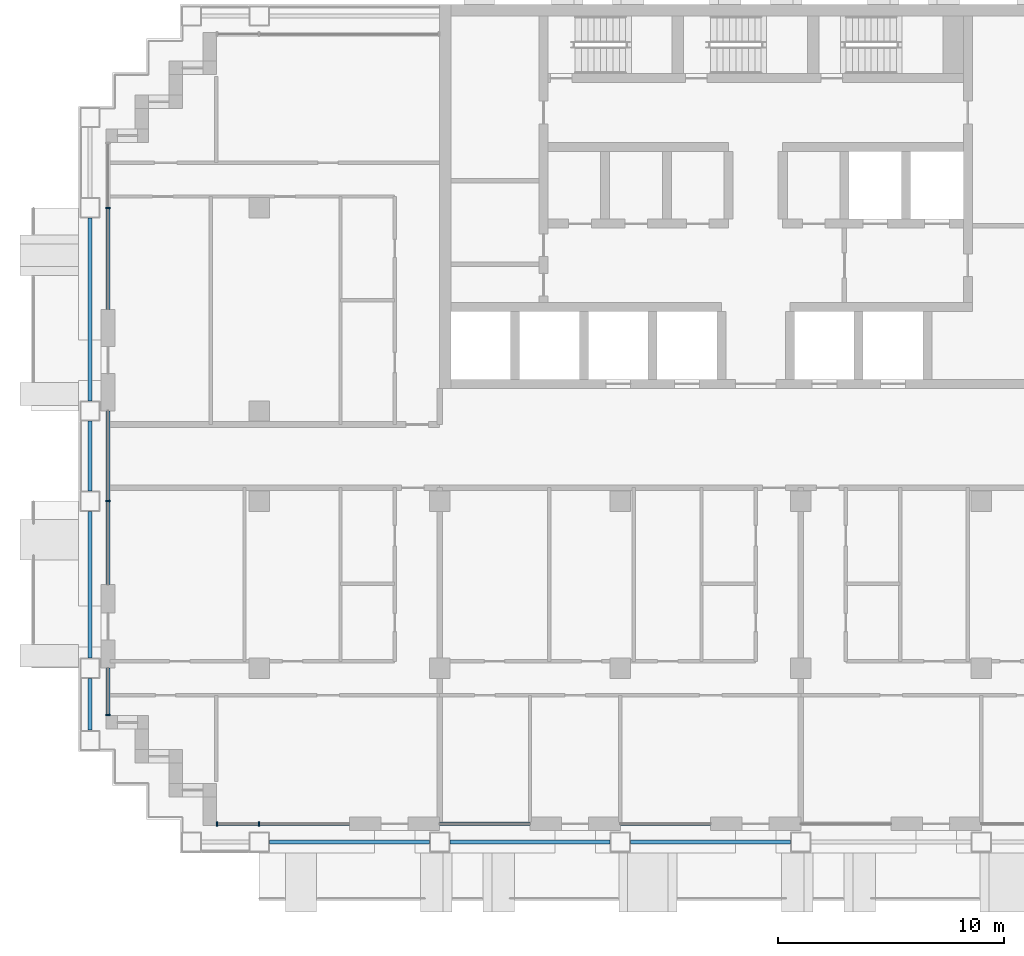
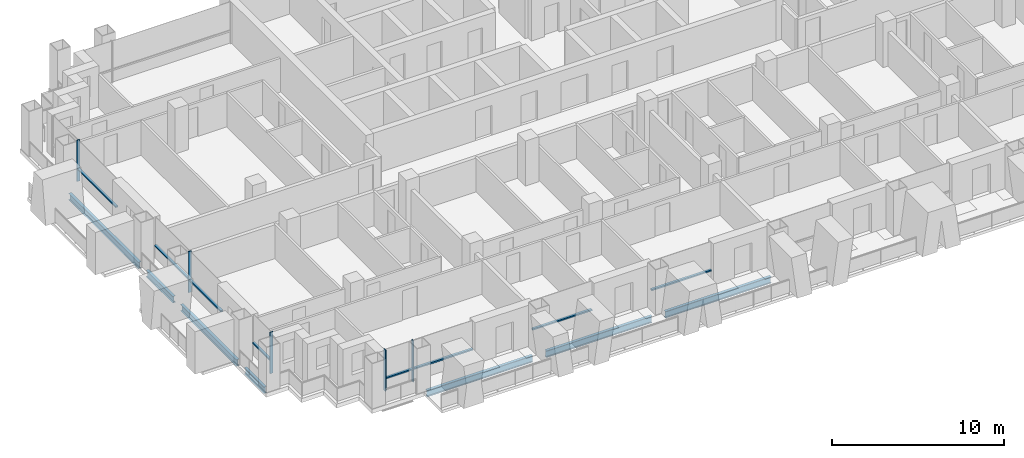
# One storey, part 2 of 17: 13 members, 7 beams, 6 elements without a shape of their own.
"""IFC4 building model written with IfcOpenShell, lengths in metres."""

import ifcopenshell
import ifcopenshell.guid

model = None  # the IFC model being written
_history = None  # IfcOwnerHistory: only IFC2X3 demands one
_inside = {}  # id of a spatial element -> (the spatial element, [elements in it])
_under = {}  # id of a project, library or spatial element -> (it, [spatial elements below it])
_declared = {}  # id of a project -> (the project, [libraries it declares])
_typed = {}  # id of a type object -> (the type object, [elements of that type])
_made_of = {}  # id of a material, layer set ... -> (it, [elements and type objects made of it])


def new_model(schema):
    """Start an empty IFC model of exactly this schema.

    Asked for "IFC4X3", IfcOpenShell would pick the latest addendum, in which some entities
    have other attributes; the version numbers below select the first issue.
    IFC2X3 requires an IfcOwnerHistory on every rooted entity: one is made here for all.
    """
    global model, _history
    if schema == "IFC4X3":
        model = ifcopenshell.file(schema_version=(4, 3, 0, 0))
    else:
        model = ifcopenshell.file(schema=schema)
    _inside.clear()
    _under.clear()
    _declared.clear()
    _typed.clear()
    _made_of.clear()
    _history = None
    if model.schema == "IFC2X3":
        org = make("IfcOrganization", Name="unknown")
        user = make(
            "IfcPersonAndOrganization",
            ThePerson=make("IfcPerson", FamilyName="unknown"),
            TheOrganization=org,
        )
        app = make(
            "IfcApplication",
            ApplicationDeveloper=org,
            Version="unknown",
            ApplicationFullName="unknown",
            ApplicationIdentifier="unknown",
        )
        _history = make(
            "IfcOwnerHistory",
            OwningUser=user,
            OwningApplication=app,
            ChangeAction="ADDED",
            CreationDate=0,
        )
    return model


def make(cls, **values):
    """One entity of the class cls with the attributes given. An attribute that is None is left unset."""
    return model.create_entity(
        cls, **{name: value for name, value in values.items() if value is not None}
    )


def rooted(cls, **values):
    """An entity with a GlobalId (a new one), such as an element, a storey or a relation."""
    return make(cls, GlobalId=ifcopenshell.guid.new(), OwnerHistory=_history, **values)


def si_unit(unit_type, name, prefix=None):
    """IfcSIUnit, for example si_unit("LENGTHUNIT", "METRE", prefix="MILLI")."""
    return make("IfcSIUnit", UnitType=unit_type, Prefix=prefix, Name=name)


def assignment(units):
    """IfcUnitAssignment: the units of a project."""
    return None if units is None else make("IfcUnitAssignment", Units=units)


def point(xyz):
    """IfcCartesianPoint."""
    return None if xyz is None else make("IfcCartesianPoint", Coordinates=xyz)


def direction(xyz):
    """IfcDirection."""
    return None if xyz is None else make("IfcDirection", DirectionRatios=xyz)


def frame(location, z_axis=None, x_axis=None):
    """IfcAxis2Placement3D, a coordinate frame: its origin and axes. An axis left out is left unset."""
    return make(
        "IfcAxis2Placement3D",
        Location=point(location),
        Axis=direction(z_axis),
        RefDirection=direction(x_axis),
    )


def frame_2d(location, x_axis=None):
    """IfcAxis2Placement2D, a coordinate frame in the plane: its origin and x axis."""
    return make(
        "IfcAxis2Placement2D", Location=point(location), RefDirection=direction(x_axis)
    )


def origin():
    """The frame at (0, 0, 0) with its axes left unset."""
    return frame((0.0, 0.0, 0.0))


def origin_2d():
    """The frame at (0, 0) in the plane with its x axis left unset."""
    return frame_2d((0.0, 0.0))


def place(relative_to, where):
    """IfcLocalPlacement: puts the frame where relative to a parent placement (None: the world)."""
    return make(
        "IfcLocalPlacement", PlacementRelTo=relative_to, RelativePlacement=where
    )


def context(
    kind, dimensions, precision=None, world=None, true_north=None, identifier=None
):
    """IfcGeometricRepresentationContext, for example the 3D "Model" context."""
    return make(
        "IfcGeometricRepresentationContext",
        ContextIdentifier=identifier,
        ContextType=kind,
        CoordinateSpaceDimension=dimensions,
        Precision=precision,
        WorldCoordinateSystem=world,
        TrueNorth=true_north,
    )


def subcontext(parent, identifier, kind, view, scale=None):
    """IfcGeometricRepresentationSubContext, for example "Body" below "Model"."""
    return make(
        "IfcGeometricRepresentationSubContext",
        ContextIdentifier=identifier,
        ContextType=kind,
        ParentContext=parent,
        TargetScale=scale,
        TargetView=view,
    )


def project(units=None, contexts=None):
    """IfcProject with its units and contexts."""
    return rooted(
        "IfcProject",
        Name="project",
        RepresentationContexts=contexts,
        UnitsInContext=assignment(units),
    )


def spatial(cls, under=None, at=None, **own):
    """A site, building, storey or space (cls), placed at a placement, below another one or the project."""
    s = rooted(cls, ObjectPlacement=at, **own)
    if under is not None:
        _under.setdefault(under.id(), (under, []))[1].append(s)
    return s


def profile(cls, at=None, kind="AREA", **sizes):
    """A parametric profile (cls). Its sizes go by their IFC names, for example OverallWidth=200.0."""
    return make(cls, ProfileType=kind, Position=at, **sizes)


def rectangle(**sizes):
    """IfcRectangleProfileDef."""
    return profile("IfcRectangleProfileDef", **sizes)


def i_section(**sizes):
    """IfcIShapeProfileDef."""
    return profile("IfcIShapeProfileDef", **sizes)


def extrude(swept, where, along, depth):
    """IfcExtrudedAreaSolid: the profile swept, set in the frame where, extruded along a direction by depth."""
    return make(
        "IfcExtrudedAreaSolid",
        SweptArea=swept,
        Position=where,
        ExtrudedDirection=direction(along),
        Depth=depth,
    )


def shape(context_of_items, identifier, shape_type, items):
    """IfcShapeRepresentation: the items that make up one representation, for example the "Body"."""
    return make(
        "IfcShapeRepresentation",
        ContextOfItems=context_of_items,
        RepresentationIdentifier=identifier,
        RepresentationType=shape_type,
        Items=items,
    )


def material(Name=None, Category=None):
    """IfcMaterial."""
    return make("IfcMaterial", Name=Name, Category=Category)


def material_profile(
    of_material, cross_section, Name=None, Category=None, Priority=None
):
    """IfcMaterialProfile: a cross section and its material."""
    return make(
        "IfcMaterialProfile",
        Name=Name,
        Material=of_material,
        Profile=cross_section,
        Priority=Priority,
        Category=Category,
    )


def profile_set(profiles, Name=None, composite=None):
    """IfcMaterialProfileSet."""
    return make(
        "IfcMaterialProfileSet",
        Name=Name,
        MaterialProfiles=profiles,
        CompositeProfile=composite,
    )


def made_of(thing, what):
    """Note that an element or type object is made of a material, layer set ...; save() writes the relation."""
    if what is not None:
        _made_of.setdefault(what.id(), (what, []))[1].append(thing)
    return thing


def type_object(cls, material=None, **own):
    """A type object (cls), such as IfcWallType, which elements share."""
    return made_of(rooted(cls, **own), material)


def element(
    cls,
    number,
    at=None,
    inside=None,
    cuts=None,
    type_object=None,
    material=None,
    context=None,
    identifier="Body",
    shape_type=None,
    held_by="IfcProductDefinitionShape",
    body=None,
    shapes=None,
    **own,
):
    """One element of the class cls, such as IfcWall. Its Tag is "e" and its number.

    at: its placement. inside: the storey or other place that contains it. cuts: it is an
    opening in that element (IfcRelVoidsElement). A single representation is given by context,
    identifier, shape_type and body (its items); several are given by shapes. held_by: the class
    of the entity that holds the representations. save() writes the other relations.
    """
    e = rooted(cls, Tag="e%d" % number, ObjectPlacement=at, **own)
    if body is not None:
        shapes = [shape(context, identifier, shape_type, body)]
    if shapes is not None:
        e.Representation = make(held_by, Representations=shapes)
    if inside is not None:
        _inside.setdefault(inside.id(), (inside, []))[1].append(e)
    if cuts is not None:
        rooted(
            "IfcRelVoidsElement", RelatingBuildingElement=cuts, RelatedOpeningElement=e
        )
    if type_object is not None:
        _typed.setdefault(type_object.id(), (type_object, []))[1].append(e)
    return made_of(e, material)


def aggregate(whole, parts):
    """IfcRelAggregates: a whole, such as a stair, and the parts it consists of."""
    return rooted("IfcRelAggregates", RelatingObject=whole, RelatedObjects=parts)


def save(model, path):
    """Write the relations noted so far, then the file.

    IfcRelAggregates (storeys below a building ...), IfcRelContainedInSpatialStructure (elements
    in a storey), IfcRelDefinesByType, IfcRelAssociatesMaterial and IfcRelDeclares: one each for
    every whole, place, type object, material and project.
    """
    for whole, parts in _under.values():
        aggregate(whole, parts)
    for where, things in _inside.values():
        rooted(
            "IfcRelContainedInSpatialStructure",
            RelatedElements=things,
            RelatingStructure=where,
        )
    for kind, things in _typed.values():
        rooted("IfcRelDefinesByType", RelatedObjects=things, RelatingType=kind)
    for what, things in _made_of.values():
        rooted("IfcRelAssociatesMaterial", RelatedObjects=things, RelatingMaterial=what)
    for by, libraries in _declared.values():
        rooted("IfcRelDeclares", RelatingContext=by, RelatedDefinitions=libraries)
    model.write(path)


model = new_model("IFC4")

# Units and contexts
model_context = context("Model", 3, precision=1e-05, world=origin(), true_north=direction((0.0, 1.0)))
body_context = subcontext(model_context, "Body", "Model", "MODEL_VIEW")
ifc_project = project(units=[si_unit("LENGTHUNIT", "METRE"), si_unit("AREAUNIT", "SQUARE_METRE"), si_unit("VOLUMEUNIT", "CUBIC_METRE"), si_unit("PLANEANGLEUNIT", "RADIAN"), si_unit("MASSUNIT", "GRAM", prefix="KILO")], contexts=[model_context])

# Site, building, storey
site_placement = place(None, origin())
site = spatial("IfcSite", under=ifc_project, at=site_placement, CompositionType="ELEMENT")
building_placement = place(site_placement, origin())
building = spatial("IfcBuilding", under=site, at=building_placement, Name="Vidyagriha Tower", CompositionType="ELEMENT")
storey_placement = place(building_placement, frame((0.0, 0.0, 87.10009765625)))
storey = spatial("IfcBuildingStorey", under=building, at=storey_placement, Name="L22", CompositionType="ELEMENT", Elevation=87.10009765625)

# Beams
ifc_material_1 = material(Name="Steel ASTM A992 Grade 50", Category="steel")
ifc_material_profile_1 = material_profile(ifc_material_1, i_section(OverallWidth=0.19189453125, OverallDepth=0.46240234375, WebThickness=0.010498046875, FlangeThickness=0.017578125, at=origin_2d()), Name="W18X60")
ifc_profile_set_1 = profile_set([ifc_material_profile_1], Name="Steel ASTM A992 Grade 50")
beam_type = type_object("IfcBeamType", Name="Edge beam W18X60", PredefinedType="SPANDREL", material=ifc_profile_set_1)
for number, where, z_axis, x_axis, name in (
    (1, (-21.550048828125, -17.10009765625, -0.51123046875), (1.0, 0.0, 0.0), (0.0, 1.0, 0.0), "st-beam-L22-S02"),
    (2, (-13.550048828125, -17.10009765625, -0.51123046875), (1.0, 0.0, 0.0), (0.0, 1.0, 0.0), "st-beam-L22-S03"),
    (3, (-5.550048828125, -17.10009765625, -0.51123046875), (1.0, 0.0, 0.0), (0.0, 1.0, 0.0), "st-beam-L22-S04"),
):
    element("IfcBeam", number, at=place(storey_placement, frame(where, z_axis=z_axis, x_axis=x_axis)), inside=storey, type_object=beam_type, Name=name, PredefinedType="SPANDREL", context=body_context, shape_type="SweptSolid", body=[
        extrude(i_section(OverallWidth=0.19189453125, OverallDepth=0.46240234375, WebThickness=0.010498046875, FlangeThickness=0.017578125, at=origin_2d()), origin(), (0.0, 0.0, 1.0), 7.10009765625),
    ])
beam_1_placement = place(storey_placement, frame((-29.5, -12.14990234375, -0.51123046875), z_axis=(0.0, 1.0, 0.0), x_axis=(-1.0, 0.0, 0.0)))
element("IfcBeam", 4, at=beam_1_placement, inside=storey, type_object=beam_type, Name="st-beam-L22-W10", PredefinedType="SPANDREL", context=body_context, shape_type="SweptSolid", body=[
    extrude(i_section(OverallWidth=0.19189453125, OverallDepth=0.46240234375, WebThickness=0.010498046875, FlangeThickness=0.017578125, at=origin_2d()), origin(), (0.0, 0.0, 1.0), 2.2998046875),
])
beam_2_placement = place(storey_placement, frame((-29.5, -8.949951171875, -0.51123046875), z_axis=(0.0, 1.0, 0.0), x_axis=(-1.0, 0.0, 0.0)))
element("IfcBeam", 5, at=beam_2_placement, inside=storey, type_object=beam_type, Name="st-beam-L22-W11", PredefinedType="SPANDREL", context=body_context, shape_type="SweptSolid", body=[
    extrude(i_section(OverallWidth=0.19189453125, OverallDepth=0.46240234375, WebThickness=0.010498046875, FlangeThickness=0.017578125, at=origin_2d()), origin(), (0.0, 0.0, 1.0), 6.5),
])
beam_3_placement = place(storey_placement, frame((-29.5, -1.550048828125, -0.51123046875), z_axis=(0.0, 1.0, 0.0), x_axis=(-1.0, 0.0, 0.0)))
element("IfcBeam", 6, at=beam_3_placement, inside=storey, type_object=beam_type, Name="st-beam-L22-W12", PredefinedType="SPANDREL", context=body_context, shape_type="SweptSolid", body=[
    extrude(i_section(OverallWidth=0.19189453125, OverallDepth=0.46240234375, WebThickness=0.010498046875, FlangeThickness=0.017578125, at=origin_2d()), origin(), (0.0, 0.0, 1.0), 3.10009765625),
])
beam_4_placement = place(storey_placement, frame((-29.5, 2.449951171875, -0.51123046875), z_axis=(0.0, 1.0, 0.0), x_axis=(-1.0, 0.0, 0.0)))
element("IfcBeam", 7, at=beam_4_placement, inside=storey, type_object=beam_type, Name="st-beam-L22-W13", PredefinedType="SPANDREL", context=body_context, shape_type="SweptSolid", body=[
    extrude(i_section(OverallWidth=0.19189453125, OverallDepth=0.46240234375, WebThickness=0.010498046875, FlangeThickness=0.017578125, at=origin_2d()), origin(), (0.0, 0.0, 1.0), 8.10009765625),
])

# Curtain wall, member
ifc_material_2 = material(Name="Aluminium and glass curtain wall", Category="aluminium")
curtain_wall_type = type_object("IfcCurtainWallType", Name="Dwelling skin unitised curtain wall", PredefinedType="USERDEFINED", material=ifc_material_2)
curtain_wall_1_placement = place(storey_placement, origin())
curtain_wall_1 = element("IfcCurtainWall", 8, at=curtain_wall_1_placement, inside=storey, type_object=curtain_wall_type, Name="CW1 dwelling skin", ObjectType="UNITISED", PredefinedType="USERDEFINED")
ifc_material_3 = material(Name="Aluminium black anodised", Category="aluminium")
ifc_material_profile_2 = material_profile(ifc_material_3, rectangle(XDim=0.199951171875, YDim=0.070068359375, at=origin_2d()), Name="Mullion 70x200 black aluminium")
ifc_profile_set_2 = profile_set([ifc_material_profile_2], Name="Aluminium black anodised")
member_type_1 = type_object("IfcMemberType", Name="Mullion 70x200 black aluminium", PredefinedType="MULLION", material=ifc_profile_set_2)
member_1_placement = place(storey_placement, frame((-28.699951171875, 11.0, 0.0)))
member_1 = element("IfcMember", 9, at=member_1_placement, type_object=member_type_1, Name="CW1 mullion 2", PredefinedType="MULLION", context=body_context, shape_type="SweptSolid", body=[
    extrude(rectangle(XDim=0.199951171875, YDim=0.070068359375, at=origin_2d()), origin(), (0.0, 0.0, 1.0), 2.919921875),
])

curtain_wall_2_placement = place(storey_placement, origin())
curtain_wall_2 = element("IfcCurtainWall", 10, at=curtain_wall_2_placement, inside=storey, type_object=curtain_wall_type, Name="CW1 dwelling skin", ObjectType="UNITISED", PredefinedType="USERDEFINED")
member_2_placement = place(storey_placement, frame((-28.699951171875, -2.0, 0.0)))
member_2 = element("IfcMember", 11, at=member_2_placement, type_object=member_type_1, Name="CW1 mullion 2", PredefinedType="MULLION", context=body_context, shape_type="SweptSolid", body=[
    extrude(rectangle(XDim=0.199951171875, YDim=0.070068359375, at=origin_2d()), origin(), (0.0, 0.0, 1.0), 2.919921875),
])

curtain_wall_3_placement = place(storey_placement, origin())
curtain_wall_3 = element("IfcCurtainWall", 12, at=curtain_wall_3_placement, inside=storey, type_object=curtain_wall_type, Name="CW1 dwelling skin", ObjectType="UNITISED", PredefinedType="USERDEFINED")
member_3_placement = place(storey_placement, frame((-28.699951171875, -11.465087890625, 0.0)))
member_3 = element("IfcMember", 13, at=member_3_placement, type_object=member_type_1, Name="CW1 mullion 2", PredefinedType="MULLION", context=body_context, shape_type="SweptSolid", body=[
    extrude(rectangle(XDim=0.199951171875, YDim=0.070068359375, at=origin_2d()), origin(), (0.0, 0.0, 1.0), 2.919921875),
])

# Curtain wall, members
curtain_wall_4_placement = place(storey_placement, origin())
curtain_wall_4 = element("IfcCurtainWall", 14, at=curtain_wall_4_placement, inside=storey, type_object=curtain_wall_type, Name="CW1 dwelling skin", ObjectType="UNITISED", PredefinedType="USERDEFINED")
member_4_placement = place(storey_placement, frame((-23.864990234375, -16.300048828125, 0.0), z_axis=(0.0, 0.0, 1.0), x_axis=(0.0, 1.0, 0.0)))
member_4 = element("IfcMember", 15, at=member_4_placement, type_object=member_type_1, Name="CW1 mullion 1", PredefinedType="MULLION", context=body_context, shape_type="SweptSolid", body=[
    extrude(rectangle(XDim=0.199951171875, YDim=0.070068359375, at=origin_2d()), origin(), (0.0, 0.0, 1.0), 2.919921875),
])
member_5_placement = place(storey_placement, frame((-22.0, -16.300048828125, 0.0), z_axis=(0.0, 0.0, 1.0), x_axis=(0.0, 1.0, 0.0)))
member_5 = element("IfcMember", 16, at=member_5_placement, type_object=member_type_1, Name="CW1 mullion 2", PredefinedType="MULLION", context=body_context, shape_type="SweptSolid", body=[
    extrude(rectangle(XDim=0.199951171875, YDim=0.070068359375, at=origin_2d()), origin(), (0.0, 0.0, 1.0), 2.919921875),
])

# Member
ifc_material_4 = material(Name="Aluminium black anodised", Category="aluminium")
ifc_material_profile_3 = material_profile(ifc_material_4, rectangle(XDim=0.159912109375, YDim=0.10009765625, at=origin_2d()), Name="Transom 100x160 black aluminium")
ifc_profile_set_3 = profile_set([ifc_material_profile_3], Name="Aluminium black anodised")
member_type_2 = type_object("IfcMemberType", Name="Transom 100x160 black aluminium", PredefinedType="USERDEFINED", material=ifc_profile_set_3)
member_6_placement = place(storey_placement, frame((-28.699951171875, 10.965087890625, 0.89990234375), z_axis=(0.0, -1.0, 0.0), x_axis=(1.0, 0.0, 0.0)))
member_6 = element("IfcMember", 17, at=member_6_placement, type_object=member_type_2, Name="CW1 transom 2.1", ObjectType="TRANSOM", PredefinedType="USERDEFINED", context=body_context, shape_type="SweptSolid", body=[
    extrude(rectangle(XDim=0.159912109375, YDim=0.10009765625, at=origin_2d()), origin(), (0.0, 0.0, 1.0), 4.465087890625),
])

aggregate(curtain_wall_1, [member_1, member_6])

member_7_placement = place(storey_placement, frame((-28.699951171875, 2.0, 0.89990234375), z_axis=(0.0, -1.0, 0.0), x_axis=(1.0, 0.0, 0.0)))
member_7 = element("IfcMember", 18, at=member_7_placement, type_object=member_type_2, Name="CW1 transom 1.1", ObjectType="TRANSOM", PredefinedType="USERDEFINED", context=body_context, shape_type="SweptSolid", body=[
    extrude(rectangle(XDim=0.159912109375, YDim=0.10009765625, at=origin_2d()), origin(), (0.0, 0.0, 1.0), 3.965087890625),
])

member_8_placement = place(storey_placement, frame((-28.699951171875, -2.034912109375, 0.89990234375), z_axis=(0.0, -1.0, 0.0), x_axis=(1.0, 0.0, 0.0)))
member_8 = element("IfcMember", 19, at=member_8_placement, type_object=member_type_2, Name="CW1 transom 2.1", ObjectType="TRANSOM", PredefinedType="USERDEFINED", context=body_context, shape_type="SweptSolid", body=[
    extrude(rectangle(XDim=0.159912109375, YDim=0.10009765625, at=origin_2d()), origin(), (0.0, 0.0, 1.0), 3.6650390625),
])

aggregate(curtain_wall_2, [member_2, member_7, member_8])

member_9_placement = place(storey_placement, frame((-28.699951171875, -9.39990234375, 0.89990234375), z_axis=(0.0, -1.0, 0.0), x_axis=(1.0, 0.0, 0.0)))
member_9 = element("IfcMember", 20, at=member_9_placement, type_object=member_type_2, Name="CW1 transom 1.1", ObjectType="TRANSOM", PredefinedType="USERDEFINED", context=body_context, shape_type="SweptSolid", body=[
    extrude(rectangle(XDim=0.159912109375, YDim=0.10009765625, at=origin_2d()), origin(), (0.0, 0.0, 1.0), 2.030029296875),
])

aggregate(curtain_wall_3, [member_3, member_9])

member_10_placement = place(storey_placement, frame((-23.830078125, -16.300048828125, 0.89990234375), z_axis=(1.0, 0.0, 0.0), x_axis=(0.0, 1.0, 0.0)))
member_10 = element("IfcMember", 21, at=member_10_placement, type_object=member_type_2, Name="CW1 transom 1.1", ObjectType="TRANSOM", PredefinedType="USERDEFINED", context=body_context, shape_type="SweptSolid", body=[
    extrude(rectangle(XDim=0.159912109375, YDim=0.10009765625, at=origin_2d()), origin(), (0.0, 0.0, 1.0), 1.795166015625),
])

member_11_placement = place(storey_placement, frame((-21.965087890625, -16.300048828125, 0.89990234375), z_axis=(1.0, 0.0, 0.0), x_axis=(0.0, 1.0, 0.0)))
member_11 = element("IfcMember", 22, at=member_11_placement, type_object=member_type_2, Name="CW1 transom 2.1", ObjectType="TRANSOM", PredefinedType="USERDEFINED", context=body_context, shape_type="SweptSolid", body=[
    extrude(rectangle(XDim=0.159912109375, YDim=0.10009765625, at=origin_2d()), origin(), (0.0, 0.0, 1.0), 3.965087890625),
])

aggregate(curtain_wall_4, [member_4, member_5, member_10, member_11])

# Curtain wall, member
curtain_wall_5_placement = place(storey_placement, origin())
curtain_wall_5 = element("IfcCurtainWall", 23, at=curtain_wall_5_placement, inside=storey, type_object=curtain_wall_type, Name="CW1 dwelling skin", ObjectType="UNITISED", PredefinedType="USERDEFINED")
member_12_placement = place(storey_placement, frame((-14.0, -16.300048828125, 0.89990234375), z_axis=(1.0, 0.0, 0.0), x_axis=(0.0, 1.0, 0.0)))
member_12 = element("IfcMember", 24, at=member_12_placement, type_object=member_type_2, Name="CW1 transom 1.1", ObjectType="TRANSOM", PredefinedType="USERDEFINED", context=body_context, shape_type="SweptSolid", body=[
    extrude(rectangle(XDim=0.159912109375, YDim=0.10009765625, at=origin_2d()), origin(), (0.0, 0.0, 1.0), 4.0),
])
aggregate(curtain_wall_5, [member_12])

curtain_wall_6_placement = place(storey_placement, origin())
curtain_wall_6 = element("IfcCurtainWall", 25, at=curtain_wall_6_placement, inside=storey, type_object=curtain_wall_type, Name="CW1 dwelling skin", ObjectType="UNITISED", PredefinedType="USERDEFINED")
member_13_placement = place(storey_placement, frame((-6.0, -16.300048828125, 0.89990234375), z_axis=(1.0, 0.0, 0.0), x_axis=(0.0, 1.0, 0.0)))
member_13 = element("IfcMember", 26, at=member_13_placement, type_object=member_type_2, Name="CW1 transom 1.1", ObjectType="TRANSOM", PredefinedType="USERDEFINED", context=body_context, shape_type="SweptSolid", body=[
    extrude(rectangle(XDim=0.159912109375, YDim=0.10009765625, at=origin_2d()), origin(), (0.0, 0.0, 1.0), 4.0),
])
aggregate(curtain_wall_6, [member_13])

save(model, "model.ifc")
